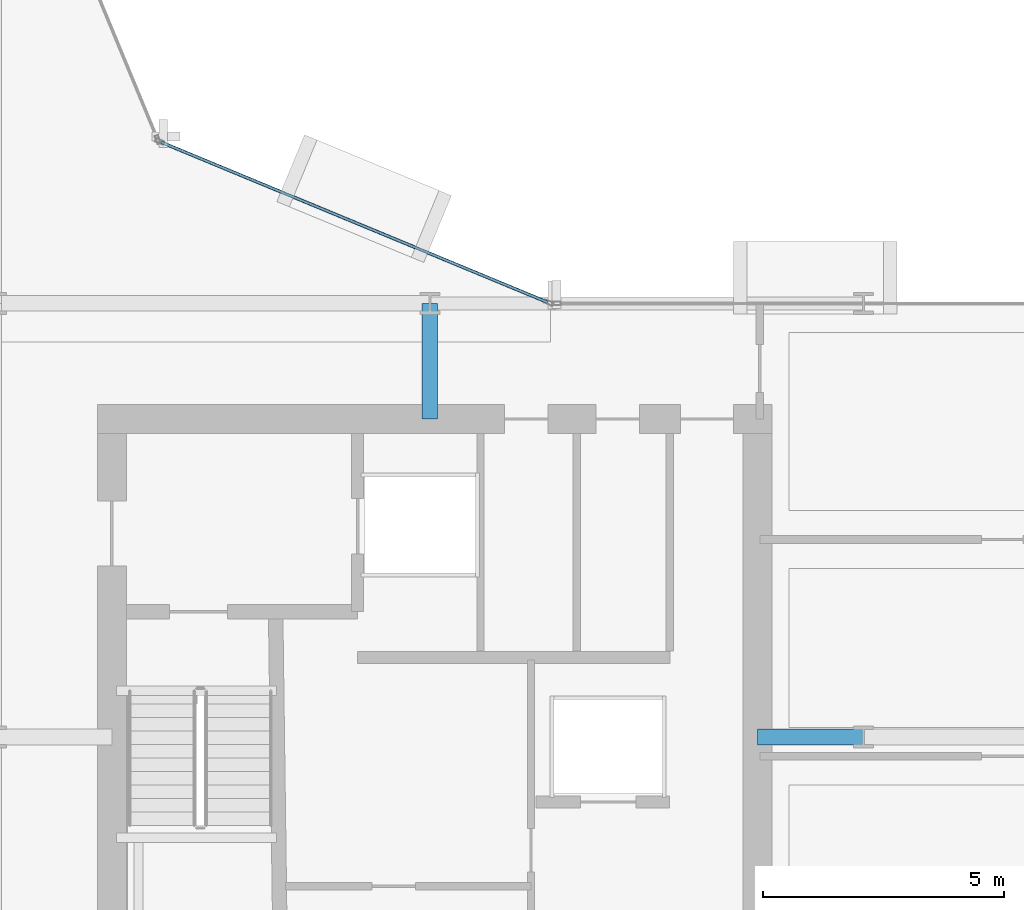
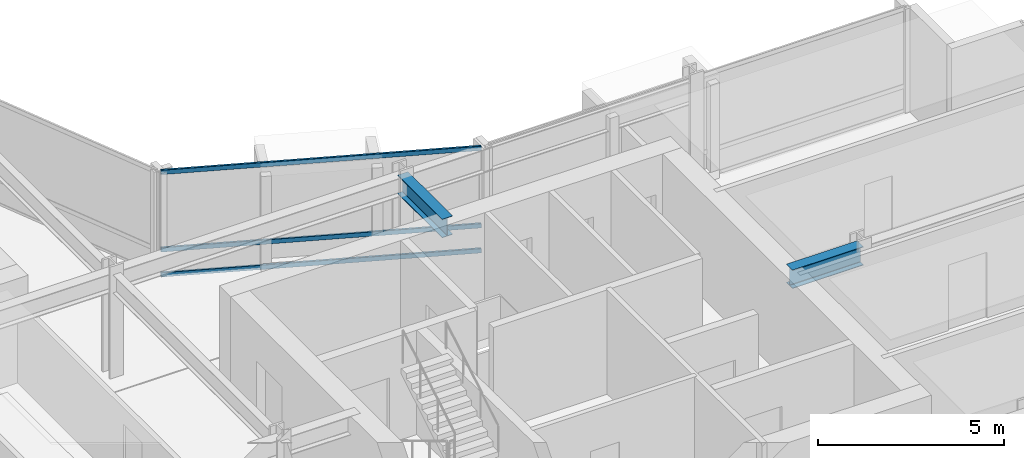
# One storey, part 12 of 29: 3 members, 2 beams, 1 element without a shape of its own.
"""IFC4 building model written with IfcOpenShell, lengths in metres."""

from ifc_helpers import new_model, si_unit, direction, frame, origin, origin_2d, place, context, subcontext, project, spatial, hollow_rectangle, i_section, extrude, material, layer, layer_set, material_profile, profile_set, type_object, element, aggregate, save


model = new_model("IFC4")

# Units and contexts
model_context = context("Model", 3, precision=1e-05, world=origin(), true_north=direction((0.0, 1.0)))
body_context = subcontext(model_context, "Body", "Model", "MODEL_VIEW")
ifc_project = project(units=[si_unit("LENGTHUNIT", "METRE"), si_unit("AREAUNIT", "SQUARE_METRE"), si_unit("VOLUMEUNIT", "CUBIC_METRE"), si_unit("PLANEANGLEUNIT", "RADIAN"), si_unit("MASSUNIT", "GRAM", prefix="KILO")], contexts=[model_context])

# Site, building, storey
site_placement = place(None, origin())
site = spatial("IfcSite", under=ifc_project, at=site_placement, CompositionType="ELEMENT")
building_placement = place(site_placement, origin())
building = spatial("IfcBuilding", under=site, at=building_placement, Name="Solvaryn Broadcast Tower", CompositionType="ELEMENT")
storey_placement = place(building_placement, frame((0.0, 0.0, 124.800048828125)))
storey = spatial("IfcBuildingStorey", under=building, at=storey_placement, Name="L30", CompositionType="ELEMENT", Elevation=124.800048828125)

# Beams
ifc_material_1 = material(Name="Steel ASTM A992 Grade 50", Category="steel")
ifc_material_profile_1 = material_profile(ifc_material_1, i_section(OverallWidth=0.323974609375, OverallDepth=0.611083984375, WebThickness=0.0126953125, FlangeThickness=0.01904296875, FilletRadius=0.014892578125, at=origin_2d()))
ifc_profile_set_1 = profile_set([ifc_material_profile_1], Name="Steel ASTM A992 Grade 50")
beam_type = type_object("IfcBeamType", Name="BM-B1-W24X104", PredefinedType="BEAM", material=ifc_profile_set_1)
beam_1_placement = place(storey_placement, frame((36.0, 24.60009765625, 3.114501953125), z_axis=(0.0, 1.0, 0.0), x_axis=(-1.0, 0.0, 0.0)))
element("IfcBeam", 1, at=beam_1_placement, inside=storey, type_object=beam_type, Name="L30 Core Tie Beam CTE2", PredefinedType="BEAM", context=body_context, shape_type="SweptSolid", body=[
    extrude(i_section(OverallWidth=0.323974609375, OverallDepth=0.611083984375, WebThickness=0.0126953125, FlangeThickness=0.01904296875, FilletRadius=0.014892578125, at=origin_2d()), origin(), (0.0, 0.0, 1.0), 2.39990234375),
])
beam_2_placement = place(storey_placement, frame((42.800048828125, 18.0, 3.114501953125), z_axis=(1.0, 0.0, 0.0), x_axis=(0.0, 1.0, 0.0)))
element("IfcBeam", 2, at=beam_2_placement, inside=storey, type_object=beam_type, Name="L30 Core Tie Beam CTE3", PredefinedType="BEAM", context=body_context, shape_type="SweptSolid", body=[
    extrude(i_section(OverallWidth=0.323974609375, OverallDepth=0.611083984375, WebThickness=0.0126953125, FlangeThickness=0.01904296875, FilletRadius=0.014892578125, at=origin_2d()), origin(), (0.0, 0.0, 1.0), 2.199951171875),
])

# Curtain wall, members
ifc_material_2 = material(Name="Aluminium and Terracotta Unitised Curtain Wall", Category="masonry")
ifc_layer = layer(ifc_material_2, 0.199951171875)
ifc_layer_set = layer_set([ifc_layer], Name="CW-SYS2-LOWMID")
curtain_wall_type = type_object("IfcCurtainWallType", Name="CW-SYS2-LOWMID", PredefinedType="NOTDEFINED", material=ifc_layer_set)
curtain_wall_placement = place(storey_placement, origin())
curtain_wall = element("IfcCurtainWall", 3, at=curtain_wall_placement, inside=storey, type_object=curtain_wall_type, Name="L30 Curtain Wall CN1", PredefinedType="NOTDEFINED")
ifc_material_3 = material(Name="Anodised Aluminium 6063-T6", Category="aluminium")
ifc_material_profile_2 = material_profile(ifc_material_3, hollow_rectangle(XDim=0.06494140625, YDim=0.14990234375, WallThickness=0.00390625, InnerFilletRadius=0.00390625, OuterFilletRadius=0.008056640625, at=origin_2d()))
ifc_profile_set_2 = profile_set([ifc_material_profile_2], Name="Anodised Aluminium 6063-T6")
member_type = type_object("IfcMemberType", Name="CW-TRN-150", PredefinedType="USERDEFINED", material=ifc_profile_set_2)
member_1_placement = place(storey_placement, frame((38.444580078125, 27.02294921875, 0.030029296875), z_axis=(-0.923899282177, 0.382635748975, 0.0), x_axis=(-0.382635748975, -0.923899282177, 0.0)))
member_1 = element("IfcMember", 4, at=member_1_placement, type_object=member_type, Name="CWS2 transom 1.1", ObjectType="TRANSOM", PredefinedType="USERDEFINED", context=body_context, shape_type="SweptSolid", body=[
    extrude(hollow_rectangle(XDim=0.06494140625, YDim=0.14990234375, WallThickness=0.00390625, InnerFilletRadius=0.00390625, OuterFilletRadius=0.008056640625, at=origin_2d()), origin(), (0.0, 0.0, 1.0), 8.681884765625),
])
member_2_placement = place(storey_placement, frame((38.444580078125, 27.02294921875, 0.849853515625), z_axis=(-0.923899282177, 0.382635748975, 0.0), x_axis=(-0.382635748975, -0.923899282177, 0.0)))
member_2 = element("IfcMember", 5, at=member_2_placement, type_object=member_type, Name="CWS2 transom 1.2", ObjectType="TRANSOM", PredefinedType="USERDEFINED", context=body_context, shape_type="SweptSolid", body=[
    extrude(hollow_rectangle(XDim=0.06494140625, YDim=0.14990234375, WallThickness=0.00390625, InnerFilletRadius=0.00390625, OuterFilletRadius=0.008056640625, at=origin_2d()), origin(), (0.0, 0.0, 1.0), 8.681884765625),
])
member_3_placement = place(storey_placement, frame((38.444580078125, 27.02294921875, 3.389892578125), z_axis=(-0.923899282177, 0.382635748975, 0.0), x_axis=(-0.382635748975, -0.923899282177, 0.0)))
member_3 = element("IfcMember", 6, at=member_3_placement, type_object=member_type, Name="CWS2 transom 1.3", ObjectType="TRANSOM", PredefinedType="USERDEFINED", context=body_context, shape_type="SweptSolid", body=[
    extrude(hollow_rectangle(XDim=0.06494140625, YDim=0.14990234375, WallThickness=0.00390625, InnerFilletRadius=0.00390625, OuterFilletRadius=0.008056640625, at=origin_2d()), origin(), (0.0, 0.0, 1.0), 8.681884765625),
])
aggregate(curtain_wall, [member_1, member_2, member_3])

save(model, "model.ifc")
